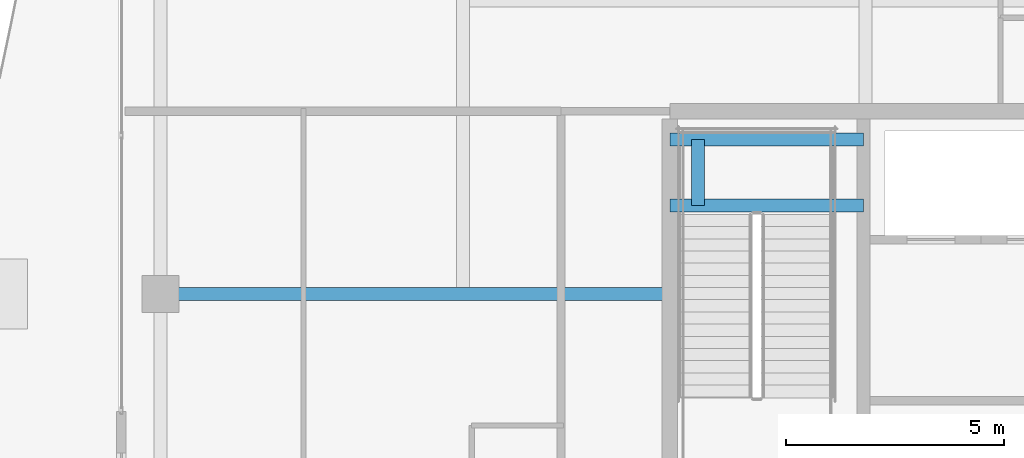
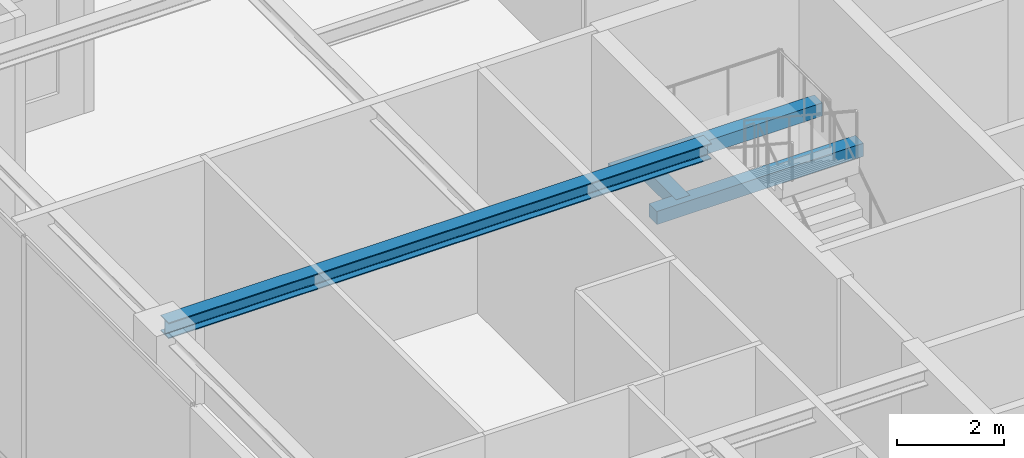
# One storey, part 10 of 38: 4 beams.
"""IFC4 building model written with IfcOpenShell, lengths in metres."""

from ifc_helpers import new_model, si_unit, direction, frame, origin, origin_2d, place, context, subcontext, project, spatial, rectangle, i_section, extrude, source, transform, mapped, material, material_profile, profile_set, type_object, element, save


model = new_model("IFC4")

# Units and contexts
model_context = context("Model", 3, precision=1e-05, world=origin(), true_north=direction((0.0, 1.0)))
body_context = subcontext(model_context, "Body", "Model", "MODEL_VIEW")
ifc_project = project(units=[si_unit("LENGTHUNIT", "METRE"), si_unit("AREAUNIT", "SQUARE_METRE"), si_unit("VOLUMEUNIT", "CUBIC_METRE"), si_unit("PLANEANGLEUNIT", "RADIAN"), si_unit("MASSUNIT", "GRAM", prefix="KILO")], contexts=[model_context])

# Site, building, storey
site_placement = place(None, origin())
site = spatial("IfcSite", under=ifc_project, at=site_placement, CompositionType="ELEMENT")
building_placement = place(site_placement, origin())
building = spatial("IfcBuilding", under=site, at=building_placement, Name="Serunith Strait Residences", CompositionType="ELEMENT")
storey_placement = place(building_placement, frame((0.0, 0.0, 353.85009765625)))
storey = spatial("IfcBuildingStorey", under=building, at=storey_placement, Name="L87", CompositionType="ELEMENT", Elevation=353.85009765625)

# Beams
ifc_material_1 = material(Name="Steel S355J2", Category="steel")
ifc_material_profile_1 = material_profile(ifc_material_1, i_section(OverallWidth=0.300048828125, OverallDepth=0.360107421875, WebThickness=0.012451171875, FlangeThickness=0.0224609375, FilletRadius=0.027099609375, at=origin_2d()), Name="HEB 360")
ifc_profile_set_1 = profile_set([ifc_material_profile_1], Name="Steel S355J2")
beam_type_1 = type_object("IfcBeamType", Name="BM-HEB360", PredefinedType="BEAM", material=ifc_profile_set_1)
shared_shape_1 = source(origin(), body_context, "Body", "SweptSolid", [
    extrude(i_section(OverallWidth=0.300048828125, OverallDepth=0.360107421875, WebThickness=0.012451171875, FlangeThickness=0.0224609375, FilletRadius=0.027099609375, at=origin_2d()), origin(), (0.0, 0.0, 1.0), 11.699951171875),
])
beam_1_placement = place(storey_placement, frame((23.39990234375, 29.39990234375, 5.35693359375), z_axis=(-1.0, 0.0, 0.0), x_axis=(0.0, -1.0, 0.0)))
element("IfcBeam", 1, at=beam_1_placement, inside=storey, type_object=beam_type_1, Name="L87 Primary Floor Girder TC-W3", PredefinedType="BEAM", context=body_context, shape_type="MappedRepresentation", body=[
    mapped(shared_shape_1, transform((0.0, 0.0, 0.0), scale=1.0)),
])
ifc_material_2 = material(Name="Concrete C60/75", Category="concrete")
ifc_material_profile_2 = material_profile(ifc_material_2, rectangle(XDim=0.300048828125, YDim=0.300048828125, at=origin_2d()), Name="RC 300x300")
ifc_profile_set_2 = profile_set([ifc_material_profile_2], Name="Concrete C60/75")
beam_type_2 = type_object("IfcBeamType", Name="BM-LAND-300x300", PredefinedType="BEAM", material=ifc_profile_set_2)
shared_shape_2 = source(origin(), body_context, "Body", "SweptSolid", [
    extrude(rectangle(XDim=0.300048828125, YDim=0.300048828125, at=origin_2d()), origin(), (0.0, 0.0, 1.0), 4.4501953125),
])
for number, where, z_axis, x_axis, name in (
    (2, (23.39990234375, 31.429931640625, 2.599853515625), (1.0, 0.0, 0.0), (0.0, 1.0, 0.0), "L87 ST-1 Landing Support Beam 1"),
    (3, (23.39990234375, 32.949951171875, 2.599853515625), (1.0, 0.0, 0.0), (0.0, 1.0, 0.0), "L87 ST-1 Landing Support Beam 2"),
):
    element("IfcBeam", number, at=place(storey_placement, frame(where, z_axis=z_axis, x_axis=x_axis)), inside=storey, type_object=beam_type_2, Name=name, PredefinedType="BEAM", context=body_context, shape_type="MappedRepresentation", body=[
        mapped(shared_shape_2, transform((0.0, 0.0, 0.0), scale=1.0)),
    ])
shared_shape_3 = source(origin(), body_context, "Body", "SweptSolid", [
    extrude(rectangle(XDim=0.300048828125, YDim=0.300048828125, at=origin_2d()), origin(), (0.0, 0.0, 1.0), 1.52001953125),
])
beam_2_placement = place(storey_placement, frame((24.050048828125, 31.429931640625, 2.599853515625), z_axis=(0.0, 1.0, 0.0), x_axis=(-1.0, 0.0, 0.0)))
element("IfcBeam", 4, at=beam_2_placement, inside=storey, type_object=beam_type_2, Name="L87 ST-1 Landing Transverse Tie Beam", PredefinedType="BEAM", context=body_context, shape_type="MappedRepresentation", body=[
    mapped(shared_shape_3, transform((0.0, 0.0, 0.0), scale=1.0)),
])

save(model, "model.ifc")
